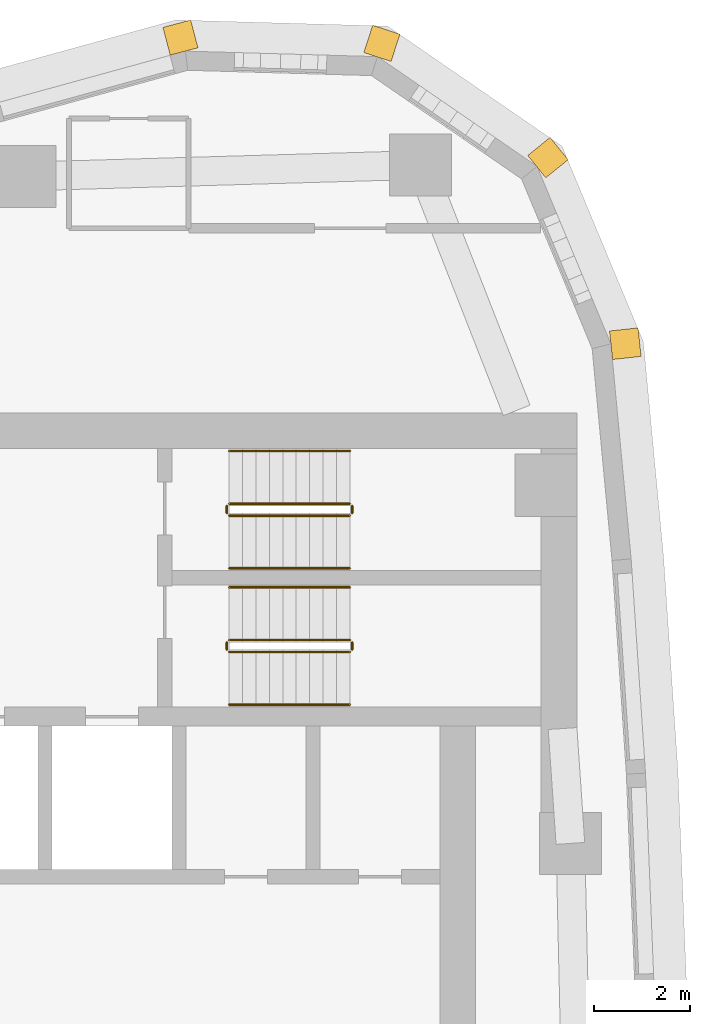
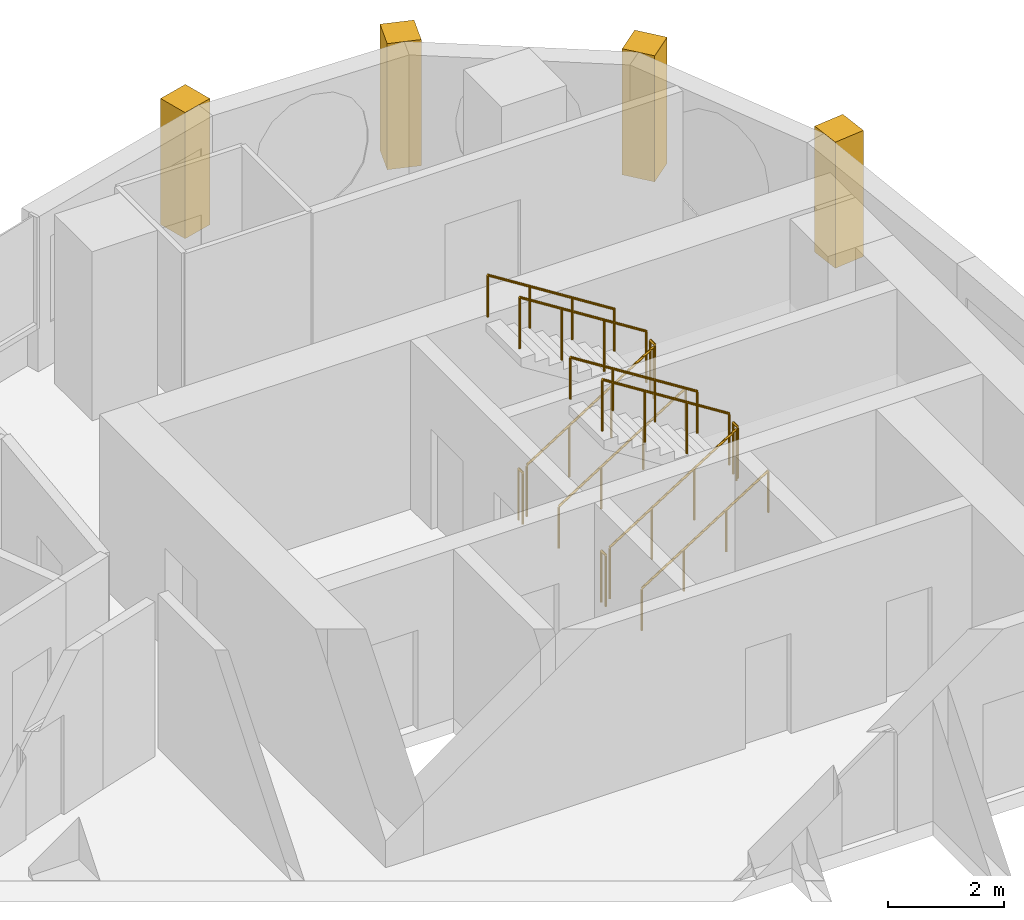
# One storey, part 17 of 17: 12 railings, 4 coverings.
"""IFC4 building model written with IfcOpenShell, lengths in metres."""

from ifc_helpers import new_model, si_unit, direction, frame, frame_2d, origin, origin_2d, place, context, subcontext, project, spatial, rectangle, circle, extrude, material, layer, layer_set, type_object, element, save


model = new_model("IFC4")

# Units and contexts
model_context = context("Model", 3, precision=1e-05, world=origin(), true_north=direction((0.0, 1.0)))
body_context = subcontext(model_context, "Body", "Model", "MODEL_VIEW")
ifc_project = project(units=[si_unit("LENGTHUNIT", "METRE"), si_unit("AREAUNIT", "SQUARE_METRE"), si_unit("VOLUMEUNIT", "CUBIC_METRE"), si_unit("PLANEANGLEUNIT", "RADIAN"), si_unit("MASSUNIT", "GRAM", prefix="KILO")], contexts=[model_context])

# Site, building, storey
site_placement = place(None, origin())
site = spatial("IfcSite", under=ifc_project, at=site_placement, CompositionType="ELEMENT")
building_placement = place(site_placement, origin())
building = spatial("IfcBuilding", under=site, at=building_placement, Name="Ostrand Prow Hotel Tower", CompositionType="ELEMENT")
storey_placement = place(building_placement, frame((0.0, 0.0, 203.89990234375)))
storey = spatial("IfcBuildingStorey", under=building, at=storey_placement, Name="L51", CompositionType="ELEMENT", Elevation=203.89990234375)

# Coverings
ifc_material_1 = material(Name="Limestone cladding", Category="masonry")
ifc_layer = layer(ifc_material_1, 0.60009765625)
ifc_layer_set = layer_set([ifc_layer], Name="Limestone cladding")
covering_type = type_object("IfcCoveringType", Name="Precast stone prow rib 600x600", PredefinedType="CLADDING", material=ifc_layer_set)
for number, where, z_axis, x_axis, name in (
    (1, (65.18017578125, 17.9111328125, 0.60009765625), (0.0, 0.0, 1.0), (0.994255138911, 0.107036062846, 0.0), "Stone corner rib 13a"),
    (2, (63.6279296875, 21.643798828125, 0.60009765625), (0.0, 0.0, 1.0), (0.776922530767, 0.62959620487, 0.0), "Stone corner rib 14a"),
    (3, (60.297607421875, 23.935302734375, 0.60009765625), (0.0, 0.0, 1.0), (0.310484329644, 0.950578498098, 0.0), "Stone corner rib 15a"),
    (4, (56.256591796875, 24.05126953125, 0.60009765625), (0.0, 0.0, 1.0), (-0.255154261231, 0.966900358349, 0.0), "Stone corner rib 15b"),
):
    element("IfcCovering", number, at=place(storey_placement, frame(where, z_axis=z_axis, x_axis=x_axis)), inside=storey, type_object=covering_type, Name=name, PredefinedType="CLADDING", context=body_context, shape_type="SweptSolid", body=[
        extrude(rectangle(XDim=0.599853515625, YDim=0.60009765625, at=frame_2d((0.2998046875, 0.0))), origin(), (0.0, 0.0, 1.0), 2.64990234375),
    ])

# Railings
ifc_material_2 = material(Name="Painted steel", Category="steel")
railing_type_1 = type_object("IfcRailingType", Name="Stair guard 1100", PredefinedType="GUARDRAIL", material=ifc_material_2)
railing_1_placement = place(storey_placement, frame((57.199951171875, 11.5, 0.177490234375)))
element("IfcRailing", 5, at=railing_1_placement, inside=storey, type_object=railing_type_1, Name="L51 ST1C stair guard 1", PredefinedType="GUARDRAIL", context=body_context, shape_type="SweptSolid", body=[
    extrude(circle(Radius=0.02392578125, at=origin_2d()), frame((0.0, 0.0, 1.076171875), z_axis=(0.84456994832, 0.0, 0.535445237532), x_axis=(0.0, 1.0, 0.0)), (0.0, 0.0, 1.0), 2.98388671875),
    extrude(circle(Radius=0.02099609375, at=origin_2d()), origin(), (0.0, 0.0, 1.0), 1.052001953125),
    extrude(circle(Radius=0.02099609375, at=origin_2d()), frame((0.840087890625, 0.0, 0.532470703125)), (0.0, 0.0, 1.0), 1.052001953125),
    extrude(circle(Radius=0.02099609375, at=origin_2d()), frame((1.679931640625, 0.0, 1.065185546875)), (0.0, 0.0, 1.0), 1.052001953125),
    extrude(circle(Radius=0.02099609375, at=origin_2d()), frame((2.52001953125, 0.0, 1.59765625)), (0.0, 0.0, 1.0), 1.052001953125),
])
railing_2_placement = place(storey_placement, frame((59.77001953125, 11.550048828125, 1.775146484375)))
element("IfcRailing", 6, at=railing_2_placement, inside=storey, type_object=railing_type_1, Name="L51 ST1C stair guard 2", PredefinedType="GUARDRAIL", context=body_context, shape_type="SweptSolid", body=[
    extrude(circle(Radius=0.02392578125, at=origin_2d()), frame((0.0, 0.0, 1.076171875), z_axis=(0.0, 1.0, 0.0), x_axis=(-1.0, 0.0, 0.0)), (0.0, 0.0, 1.0), 0.14990234375),
    extrude(circle(Radius=0.02099609375, at=origin_2d()), origin(), (0.0, 0.0, 1.0), 1.052001953125),
    extrude(circle(Radius=0.02099609375, at=origin_2d()), frame((0.0, 0.14990234375, 0.0)), (0.0, 0.0, 1.0), 1.052001953125),
])
railing_3_placement = place(storey_placement, frame((59.719970703125, 11.75, 1.95263671875)))
element("IfcRailing", 7, at=railing_3_placement, inside=storey, type_object=railing_type_1, Name="L51 ST1C stair guard 3", PredefinedType="GUARDRAIL", context=body_context, shape_type="SweptSolid", body=[
    extrude(circle(Radius=0.02392578125, at=origin_2d()), frame((0.0, 0.0, 1.076171875), z_axis=(-0.84460694969, 0.0, 0.535386869969), x_axis=(0.0, -1.0, 0.0)), (0.0, 0.0, 1.0), 2.983642578125),
    extrude(circle(Radius=0.02099609375, at=origin_2d()), origin(), (0.0, 0.0, 1.0), 1.052001953125),
    extrude(circle(Radius=0.02099609375, at=origin_2d()), frame((-0.840087890625, 0.0, 0.532470703125)), (0.0, 0.0, 1.0), 1.052001953125),
    extrude(circle(Radius=0.02099609375, at=origin_2d()), frame((-1.679931640625, 0.0, 1.06494140625)), (0.0, 0.0, 1.0), 1.052001953125),
    extrude(circle(Radius=0.02099609375, at=origin_2d()), frame((-2.52001953125, 0.0, 1.597412109375)), (0.0, 0.0, 1.0), 1.052001953125),
])
railing_4_placement = place(storey_placement, frame((57.14990234375, 11.550048828125, 0.0)))
element("IfcRailing", 8, at=railing_4_placement, inside=storey, type_object=railing_type_1, Name="L51 ST1C stair guard 4", PredefinedType="GUARDRAIL", context=body_context, shape_type="SweptSolid", body=[
    extrude(circle(Radius=0.02392578125, at=origin_2d()), frame((0.0, 0.0, 1.076171875), z_axis=(0.0, 1.0, 0.0), x_axis=(-1.0, 0.0, 0.0)), (0.0, 0.0, 1.0), 0.14990234375),
    extrude(circle(Radius=0.02099609375, at=origin_2d()), origin(), (0.0, 0.0, 1.0), 1.052001953125),
    extrude(circle(Radius=0.02099609375, at=origin_2d()), frame((0.0, 0.14990234375, 0.0)), (0.0, 0.0, 1.0), 1.052001953125),
])
railing_5_placement = place(storey_placement, frame((57.199951171875, 14.35009765625, 0.177490234375)))
element("IfcRailing", 9, at=railing_5_placement, inside=storey, type_object=railing_type_1, Name="L51 ST3C stair guard 1", PredefinedType="GUARDRAIL", context=body_context, shape_type="SweptSolid", body=[
    extrude(circle(Radius=0.02392578125, at=origin_2d()), frame((0.0, 0.0, 1.076171875), z_axis=(0.84456994832, 0.0, 0.535445237532), x_axis=(0.0, 1.0, 0.0)), (0.0, 0.0, 1.0), 2.98388671875),
    extrude(circle(Radius=0.02099609375, at=origin_2d()), origin(), (0.0, 0.0, 1.0), 1.052001953125),
    extrude(circle(Radius=0.02099609375, at=origin_2d()), frame((0.840087890625, 0.0, 0.532470703125)), (0.0, 0.0, 1.0), 1.052001953125),
    extrude(circle(Radius=0.02099609375, at=origin_2d()), frame((1.679931640625, 0.0, 1.065185546875)), (0.0, 0.0, 1.0), 1.052001953125),
    extrude(circle(Radius=0.02099609375, at=origin_2d()), frame((2.52001953125, 0.0, 1.59765625)), (0.0, 0.0, 1.0), 1.052001953125),
])
railing_6_placement = place(storey_placement, frame((59.77001953125, 14.39990234375, 1.775146484375)))
element("IfcRailing", 10, at=railing_6_placement, inside=storey, type_object=railing_type_1, Name="L51 ST3C stair guard 2", PredefinedType="GUARDRAIL", context=body_context, shape_type="SweptSolid", body=[
    extrude(circle(Radius=0.02392578125, at=origin_2d()), frame((0.0, 0.0, 1.076171875), z_axis=(0.0, 1.0, 0.0), x_axis=(-1.0, 0.0, 0.0)), (0.0, 0.0, 1.0), 0.150146484375),
    extrude(circle(Radius=0.02099609375, at=origin_2d()), origin(), (0.0, 0.0, 1.0), 1.052001953125),
    extrude(circle(Radius=0.02099609375, at=origin_2d()), frame((0.0, 0.150146484375, 0.0)), (0.0, 0.0, 1.0), 1.052001953125),
])
railing_7_placement = place(storey_placement, frame((59.719970703125, 14.60009765625, 1.95263671875)))
element("IfcRailing", 11, at=railing_7_placement, inside=storey, type_object=railing_type_1, Name="L51 ST3C stair guard 3", PredefinedType="GUARDRAIL", context=body_context, shape_type="SweptSolid", body=[
    extrude(circle(Radius=0.02392578125, at=origin_2d()), frame((0.0, 0.0, 1.076171875), z_axis=(-0.84460694969, 0.0, 0.535386869969), x_axis=(0.0, -1.0, 0.0)), (0.0, 0.0, 1.0), 2.983642578125),
    extrude(circle(Radius=0.02099609375, at=origin_2d()), origin(), (0.0, 0.0, 1.0), 1.052001953125),
    extrude(circle(Radius=0.02099609375, at=origin_2d()), frame((-0.840087890625, 0.0, 0.532470703125)), (0.0, 0.0, 1.0), 1.052001953125),
    extrude(circle(Radius=0.02099609375, at=origin_2d()), frame((-1.679931640625, 0.0, 1.06494140625)), (0.0, 0.0, 1.0), 1.052001953125),
    extrude(circle(Radius=0.02099609375, at=origin_2d()), frame((-2.52001953125, 0.0, 1.597412109375)), (0.0, 0.0, 1.0), 1.052001953125),
])
railing_8_placement = place(storey_placement, frame((57.14990234375, 14.39990234375, 0.0)))
element("IfcRailing", 12, at=railing_8_placement, inside=storey, type_object=railing_type_1, Name="L51 ST3C stair guard 4", PredefinedType="GUARDRAIL", context=body_context, shape_type="SweptSolid", body=[
    extrude(circle(Radius=0.02392578125, at=origin_2d()), frame((0.0, 0.0, 1.076171875), z_axis=(0.0, 1.0, 0.0), x_axis=(-1.0, 0.0, 0.0)), (0.0, 0.0, 1.0), 0.150146484375),
    extrude(circle(Radius=0.02099609375, at=origin_2d()), origin(), (0.0, 0.0, 1.0), 1.052001953125),
    extrude(circle(Radius=0.02099609375, at=origin_2d()), frame((0.0, 0.150146484375, 0.0)), (0.0, 0.0, 1.0), 1.052001953125),
])
ifc_material_3 = material(Name="Stainless steel", Category="steel")
railing_type_2 = type_object("IfcRailingType", Name="Stair handrail 900", PredefinedType="HANDRAIL", material=ifc_material_3)
railing_9_placement = place(storey_placement, frame((57.199951171875, 10.39990234375, 0.177490234375)))
element("IfcRailing", 13, at=railing_9_placement, inside=storey, type_object=railing_type_2, Name="L51 ST1C stair handrail 1", PredefinedType="HANDRAIL", context=body_context, shape_type="SweptSolid", body=[
    extrude(circle(Radius=0.02392578125, at=origin_2d()), frame((0.0, 0.0, 0.8759765625), z_axis=(0.84456994832, 0.0, 0.535445237532), x_axis=(0.0, 1.0, 0.0)), (0.0, 0.0, 1.0), 2.98388671875),
    extrude(circle(Radius=0.02099609375, at=origin_2d()), origin(), (0.0, 0.0, 1.0), 0.851806640625),
    extrude(circle(Radius=0.02099609375, at=origin_2d()), frame((0.840087890625, 0.0, 0.532470703125)), (0.0, 0.0, 1.0), 0.851806640625),
    extrude(circle(Radius=0.02099609375, at=origin_2d()), frame((1.679931640625, 0.0, 1.065185546875)), (0.0, 0.0, 1.0), 0.851806640625),
    extrude(circle(Radius=0.02099609375, at=origin_2d()), frame((2.52001953125, 0.0, 1.59765625)), (0.0, 0.0, 1.0), 0.851806640625),
])
railing_10_placement = place(storey_placement, frame((59.719970703125, 12.85009765625, 1.95263671875)))
element("IfcRailing", 14, at=railing_10_placement, inside=storey, type_object=railing_type_2, Name="L51 ST1C stair handrail 2", PredefinedType="HANDRAIL", context=body_context, shape_type="SweptSolid", body=[
    extrude(circle(Radius=0.02392578125, at=origin_2d()), frame((0.0, 0.0, 0.8759765625), z_axis=(-0.84460694969, 0.0, 0.535386869969), x_axis=(0.0, -1.0, 0.0)), (0.0, 0.0, 1.0), 2.983642578125),
    extrude(circle(Radius=0.02099609375, at=origin_2d()), origin(), (0.0, 0.0, 1.0), 0.851806640625),
    extrude(circle(Radius=0.02099609375, at=origin_2d()), frame((-0.840087890625, 0.0, 0.532470703125)), (0.0, 0.0, 1.0), 0.851806640625),
    extrude(circle(Radius=0.02099609375, at=origin_2d()), frame((-1.679931640625, 0.0, 1.06494140625)), (0.0, 0.0, 1.0), 0.851806640625),
    extrude(circle(Radius=0.02099609375, at=origin_2d()), frame((-2.52001953125, 0.0, 1.597412109375)), (0.0, 0.0, 1.0), 0.851806640625),
])
railing_11_placement = place(storey_placement, frame((57.199951171875, 13.25, 0.177490234375)))
element("IfcRailing", 15, at=railing_11_placement, inside=storey, type_object=railing_type_2, Name="L51 ST3C stair handrail 1", PredefinedType="HANDRAIL", context=body_context, shape_type="SweptSolid", body=[
    extrude(circle(Radius=0.02392578125, at=origin_2d()), frame((0.0, 0.0, 0.8759765625), z_axis=(0.84456994832, 0.0, 0.535445237532), x_axis=(0.0, 1.0, 0.0)), (0.0, 0.0, 1.0), 2.98388671875),
    extrude(circle(Radius=0.02099609375, at=origin_2d()), origin(), (0.0, 0.0, 1.0), 0.851806640625),
    extrude(circle(Radius=0.02099609375, at=origin_2d()), frame((0.840087890625, 0.0, 0.532470703125)), (0.0, 0.0, 1.0), 0.851806640625),
    extrude(circle(Radius=0.02099609375, at=origin_2d()), frame((1.679931640625, 0.0, 1.065185546875)), (0.0, 0.0, 1.0), 0.851806640625),
    extrude(circle(Radius=0.02099609375, at=origin_2d()), frame((2.52001953125, 0.0, 1.59765625)), (0.0, 0.0, 1.0), 0.851806640625),
])
railing_12_placement = place(storey_placement, frame((59.719970703125, 15.699951171875, 1.95263671875)))
element("IfcRailing", 16, at=railing_12_placement, inside=storey, type_object=railing_type_2, Name="L51 ST3C stair handrail 2", PredefinedType="HANDRAIL", context=body_context, shape_type="SweptSolid", body=[
    extrude(circle(Radius=0.02392578125, at=origin_2d()), frame((0.0, 0.0, 0.8759765625), z_axis=(-0.84460694969, 0.0, 0.535386869969), x_axis=(0.0, -1.0, 0.0)), (0.0, 0.0, 1.0), 2.983642578125),
    extrude(circle(Radius=0.02099609375, at=origin_2d()), origin(), (0.0, 0.0, 1.0), 0.851806640625),
    extrude(circle(Radius=0.02099609375, at=origin_2d()), frame((-0.840087890625, 0.0, 0.532470703125)), (0.0, 0.0, 1.0), 0.851806640625),
    extrude(circle(Radius=0.02099609375, at=origin_2d()), frame((-1.679931640625, 0.0, 1.06494140625)), (0.0, 0.0, 1.0), 0.851806640625),
    extrude(circle(Radius=0.02099609375, at=origin_2d()), frame((-2.52001953125, 0.0, 1.597412109375)), (0.0, 0.0, 1.0), 0.851806640625),
])

save(model, "model.ifc")
